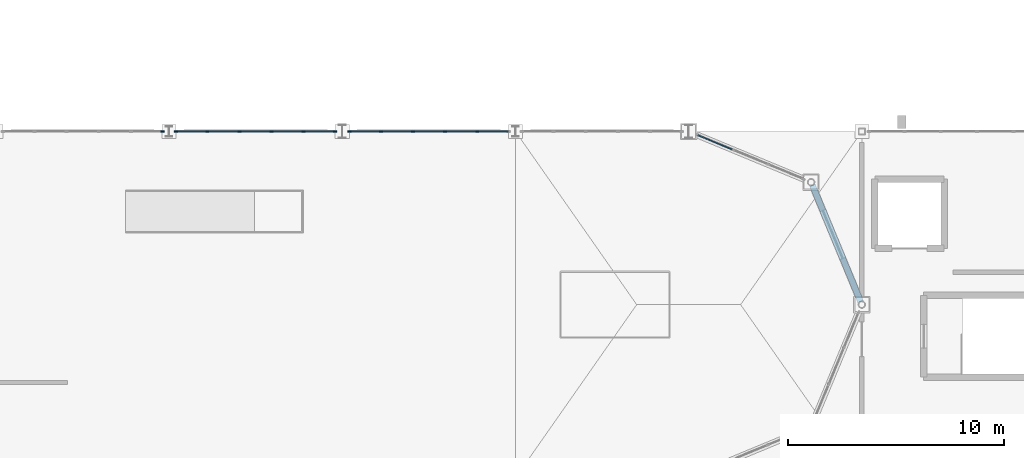
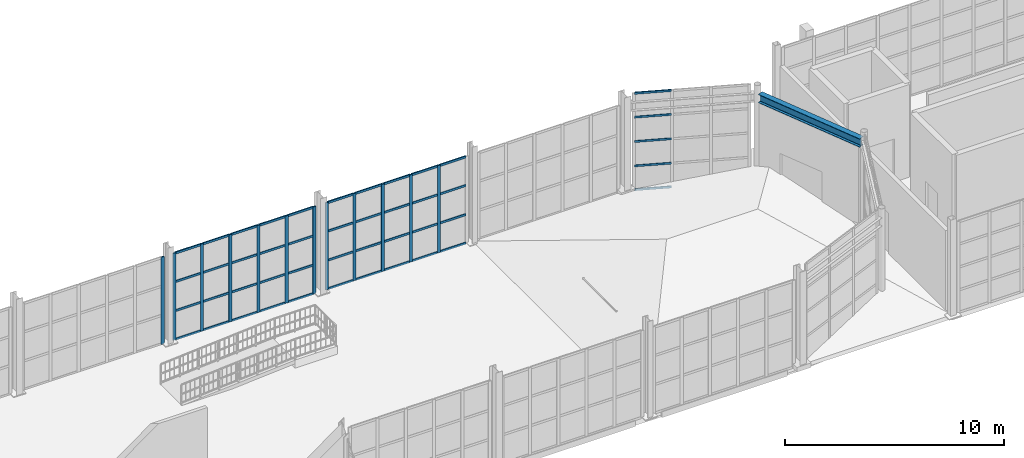
# One storey, part 44 of 82: 57 members, 1 beam, 4 elements without a shape of their own.
"""IFC4 building model written with IfcOpenShell, lengths in metres."""

from ifc_helpers import new_model, si_unit, direction, frame, origin, origin_2d, place, context, subcontext, project, spatial, rectangle, i_section, extrude, material, material_profile, profile_set, type_object, element, aggregate, save


model = new_model("IFC4")

# Units and contexts
model_context = context("Model", 3, precision=1e-05, world=origin(), true_north=direction((0.0, 1.0)))
body_context = subcontext(model_context, "Body", "Model", "MODEL_VIEW")
ifc_project = project(units=[si_unit("LENGTHUNIT", "METRE"), si_unit("AREAUNIT", "SQUARE_METRE"), si_unit("VOLUMEUNIT", "CUBIC_METRE"), si_unit("PLANEANGLEUNIT", "RADIAN"), si_unit("MASSUNIT", "GRAM", prefix="KILO")], contexts=[model_context])

# Site, building, storey
site_placement = place(None, origin())
site = spatial("IfcSite", under=ifc_project, at=site_placement, CompositionType="ELEMENT")
building_placement = place(site_placement, origin())
building = spatial("IfcBuilding", under=site, at=building_placement, Name="Serraluz Foothill Cableway Terminal", CompositionType="ELEMENT")
storey_placement = place(building_placement, frame((0.0, 0.0, 9.60009765625)))
storey = spatial("IfcBuildingStorey", under=building, at=storey_placement, Name="L02", CompositionType="ELEMENT", Elevation=9.60009765625)

# Curtain wall, member
ifc_material_1 = material(Name="Architectural bronze alloy C28000", Category="aluminium")
curtain_wall_type_1 = type_object("IfcCurtainWallType", Name="TYP-CW-920X440", PredefinedType="NOTDEFINED", material=ifc_material_1)
curtain_wall_1_placement = place(storey_placement, origin())
curtain_wall_1 = element("IfcCurtainWall", 1, at=curtain_wall_1_placement, inside=storey, type_object=curtain_wall_type_1, Name="Ribbed Glazed Curtain Wall CW-V1N-L02-120", PredefinedType="NOTDEFINED")
ifc_material_profile_1 = material_profile(ifc_material_1, rectangle(XDim=0.06005859375, YDim=0.159912109375, at=origin_2d()), Name="ALU MULLION 60x160")
ifc_profile_set_1 = profile_set([ifc_material_profile_1], Name="Architectural bronze alloy C28000")
member_type_1 = type_object("IfcMemberType", Name="TYP-CW-MUL-60X160", PredefinedType="MULLION", material=ifc_profile_set_1)
member_1_placement = place(storey_placement, frame((127.6884765625, 72.0, 0.0), z_axis=(0.0, 0.0, 1.0), x_axis=(0.0, 1.0, 0.0)))
member_1 = element("IfcMember", 2, at=member_1_placement, type_object=member_type_1, Name="CW-20 mullion 6", PredefinedType="MULLION", context=body_context, shape_type="SweptSolid", body=[
    extrude(rectangle(XDim=0.06005859375, YDim=0.159912109375, at=origin_2d()), origin(), (0.0, 0.0, 1.0), 4.849853515625),
])
aggregate(curtain_wall_1, [member_1])

# Curtain wall, members
curtain_wall_type_2 = type_object("IfcCurtainWallType", Name="TYP-CW-1120X420", PredefinedType="NOTDEFINED", material=ifc_material_1)
curtain_wall_2_placement = place(storey_placement, origin())
curtain_wall_2 = element("IfcCurtainWall", 3, at=curtain_wall_2_placement, inside=storey, type_object=curtain_wall_type_2, Name="Ribbed Glazed Curtain Wall CW-V1N-L02-128", PredefinedType="NOTDEFINED")
member_2_placement = place(storey_placement, frame((128.3115234375, 72.0, 0.0), z_axis=(0.0, 0.0, 1.0), x_axis=(0.0, 1.0, 0.0)))
member_2 = element("IfcMember", 4, at=member_2_placement, type_object=member_type_1, Name="CW-21 mullion 1", PredefinedType="MULLION", context=body_context, shape_type="SweptSolid", body=[
    extrude(rectangle(XDim=0.06005859375, YDim=0.159912109375, at=origin_2d()), origin(), (0.0, 0.0, 1.0), 4.849853515625),
])
member_3_placement = place(storey_placement, frame((129.7646484375, 72.0, 0.0), z_axis=(0.0, 0.0, 1.0), x_axis=(0.0, 1.0, 0.0)))
member_3 = element("IfcMember", 5, at=member_3_placement, type_object=member_type_1, Name="CW-21 mullion 2", PredefinedType="MULLION", context=body_context, shape_type="SweptSolid", body=[
    extrude(rectangle(XDim=0.06005859375, YDim=0.159912109375, at=origin_2d()), origin(), (0.0, 0.0, 1.0), 4.849853515625),
])
member_4_placement = place(storey_placement, frame((131.247802734375, 72.0, 0.0), z_axis=(0.0, 0.0, 1.0), x_axis=(0.0, 1.0, 0.0)))
member_4 = element("IfcMember", 6, at=member_4_placement, type_object=member_type_1, Name="CW-21 mullion 3", PredefinedType="MULLION", context=body_context, shape_type="SweptSolid", body=[
    extrude(rectangle(XDim=0.06005859375, YDim=0.159912109375, at=origin_2d()), origin(), (0.0, 0.0, 1.0), 4.849853515625),
])
member_5_placement = place(storey_placement, frame((132.731201171875, 72.0, 0.0), z_axis=(0.0, 0.0, 1.0), x_axis=(0.0, 1.0, 0.0)))
member_5 = element("IfcMember", 7, at=member_5_placement, type_object=member_type_1, Name="CW-21 mullion 4", PredefinedType="MULLION", context=body_context, shape_type="SweptSolid", body=[
    extrude(rectangle(XDim=0.06005859375, YDim=0.159912109375, at=origin_2d()), origin(), (0.0, 0.0, 1.0), 4.849853515625),
])
member_6_placement = place(storey_placement, frame((134.21435546875, 72.0, 0.0), z_axis=(0.0, 0.0, 1.0), x_axis=(0.0, 1.0, 0.0)))
member_6 = element("IfcMember", 8, at=member_6_placement, type_object=member_type_1, Name="CW-21 mullion 5", PredefinedType="MULLION", context=body_context, shape_type="SweptSolid", body=[
    extrude(rectangle(XDim=0.06005859375, YDim=0.159912109375, at=origin_2d()), origin(), (0.0, 0.0, 1.0), 4.849853515625),
])
member_7_placement = place(storey_placement, frame((135.66748046875, 72.0, 0.0), z_axis=(0.0, 0.0, 1.0), x_axis=(0.0, 1.0, 0.0)))
member_7 = element("IfcMember", 9, at=member_7_placement, type_object=member_type_1, Name="CW-21 mullion 6", PredefinedType="MULLION", context=body_context, shape_type="SweptSolid", body=[
    extrude(rectangle(XDim=0.06005859375, YDim=0.159912109375, at=origin_2d()), origin(), (0.0, 0.0, 1.0), 4.849853515625),
])

curtain_wall_type_3 = type_object("IfcCurtainWallType", Name="TYP-CW-1280X440", PredefinedType="NOTDEFINED", material=ifc_material_1)
curtain_wall_3_placement = place(storey_placement, origin())
curtain_wall_3 = element("IfcCurtainWall", 10, at=curtain_wall_3_placement, inside=storey, type_object=curtain_wall_type_3, Name="Ribbed Glazed Curtain Wall CW-V1N-L02-136", PredefinedType="NOTDEFINED")
member_8_placement = place(storey_placement, frame((136.33251953125, 72.0, 0.0), z_axis=(0.0, 0.0, 1.0), x_axis=(0.0, 1.0, 0.0)))
member_8 = element("IfcMember", 11, at=member_8_placement, type_object=member_type_1, Name="CW-22 mullion 1", PredefinedType="MULLION", context=body_context, shape_type="SweptSolid", body=[
    extrude(rectangle(XDim=0.06005859375, YDim=0.159912109375, at=origin_2d()), origin(), (0.0, 0.0, 1.0), 4.849853515625),
])
member_9_placement = place(storey_placement, frame((137.78564453125, 72.0, 0.0), z_axis=(0.0, 0.0, 1.0), x_axis=(0.0, 1.0, 0.0)))
member_9 = element("IfcMember", 12, at=member_9_placement, type_object=member_type_1, Name="CW-22 mullion 2", PredefinedType="MULLION", context=body_context, shape_type="SweptSolid", body=[
    extrude(rectangle(XDim=0.06005859375, YDim=0.159912109375, at=origin_2d()), origin(), (0.0, 0.0, 1.0), 4.849853515625),
])
member_10_placement = place(storey_placement, frame((139.268798828125, 72.0, 0.0), z_axis=(0.0, 0.0, 1.0), x_axis=(0.0, 1.0, 0.0)))
member_10 = element("IfcMember", 13, at=member_10_placement, type_object=member_type_1, Name="CW-22 mullion 3", PredefinedType="MULLION", context=body_context, shape_type="SweptSolid", body=[
    extrude(rectangle(XDim=0.06005859375, YDim=0.159912109375, at=origin_2d()), origin(), (0.0, 0.0, 1.0), 4.849853515625),
])
member_11_placement = place(storey_placement, frame((140.752197265625, 72.0, 0.0), z_axis=(0.0, 0.0, 1.0), x_axis=(0.0, 1.0, 0.0)))
member_11 = element("IfcMember", 14, at=member_11_placement, type_object=member_type_1, Name="CW-22 mullion 4", PredefinedType="MULLION", context=body_context, shape_type="SweptSolid", body=[
    extrude(rectangle(XDim=0.06005859375, YDim=0.159912109375, at=origin_2d()), origin(), (0.0, 0.0, 1.0), 4.849853515625),
])
member_12_placement = place(storey_placement, frame((142.2353515625, 72.0, 0.0), z_axis=(0.0, 0.0, 1.0), x_axis=(0.0, 1.0, 0.0)))
member_12 = element("IfcMember", 15, at=member_12_placement, type_object=member_type_1, Name="CW-22 mullion 5", PredefinedType="MULLION", context=body_context, shape_type="SweptSolid", body=[
    extrude(rectangle(XDim=0.06005859375, YDim=0.159912109375, at=origin_2d()), origin(), (0.0, 0.0, 1.0), 4.849853515625),
])

curtain_wall_type_4 = type_object("IfcCurtainWallType", Name="TYP-CW-480X380", PredefinedType="NOTDEFINED", material=ifc_material_1)
curtain_wall_4_placement = place(storey_placement, origin())
curtain_wall_4 = element("IfcCurtainWall", 16, at=curtain_wall_4_placement, inside=storey, type_object=curtain_wall_type_4, Name="Ribbed Glazed Curtain Wall CW-V1-E-L02-1", PredefinedType="NOTDEFINED")
ifc_material_2 = material(Name="Extruded aluminium 6063-T6", Category="aluminium")
ifc_material_profile_2 = material_profile(ifc_material_2, rectangle(XDim=0.054931640625, YDim=0.110107421875, at=origin_2d()), Name="ALU TRANSOM 55x110")
ifc_profile_set_2 = profile_set([ifc_material_profile_2], Name="Extruded aluminium 6063-T6")
member_type_2 = type_object("IfcMemberType", Name="TYP-CW-TRN-55X110", PredefinedType="USERDEFINED", material=ifc_profile_set_2)
member_13_placement = place(storey_placement, frame((152.427734375, 71.82275390625, 0.02734375), z_axis=(0.923875488976, -0.382693194178, 0.0), x_axis=(0.382693194178, 0.923875488976, 0.0)))
member_13 = element("IfcMember", 17, at=member_13_placement, type_object=member_type_2, Name="CW-14 transom 1.1", ObjectType="TRANSOM", PredefinedType="USERDEFINED", context=body_context, shape_type="SweptSolid", body=[
    extrude(rectangle(XDim=0.054931640625, YDim=0.110107421875, at=origin_2d()), origin(), (0.0, 0.0, 1.0), 1.705322265625),
])
member_14_placement = place(storey_placement, frame((152.427734375, 71.82275390625, 1.35498046875), z_axis=(0.923875488976, -0.382693194178, 0.0), x_axis=(0.382693194178, 0.923875488976, 0.0)))
member_14 = element("IfcMember", 18, at=member_14_placement, type_object=member_type_2, Name="CW-14 transom 1.2", ObjectType="TRANSOM", PredefinedType="USERDEFINED", context=body_context, shape_type="SweptSolid", body=[
    extrude(rectangle(XDim=0.054931640625, YDim=0.110107421875, at=origin_2d()), origin(), (0.0, 0.0, 1.0), 1.705322265625),
])
member_15_placement = place(storey_placement, frame((152.427734375, 71.82275390625, 2.7099609375), z_axis=(0.923875488976, -0.382693194178, 0.0), x_axis=(0.382693194178, 0.923875488976, 0.0)))
member_15 = element("IfcMember", 19, at=member_15_placement, type_object=member_type_2, Name="CW-14 transom 1.3", ObjectType="TRANSOM", PredefinedType="USERDEFINED", context=body_context, shape_type="SweptSolid", body=[
    extrude(rectangle(XDim=0.054931640625, YDim=0.110107421875, at=origin_2d()), origin(), (0.0, 0.0, 1.0), 1.705322265625),
])
member_16_placement = place(storey_placement, frame((152.427734375, 71.82275390625, 4.06494140625), z_axis=(0.923875488976, -0.382693194178, 0.0), x_axis=(0.382693194178, 0.923875488976, 0.0)))
member_16 = element("IfcMember", 20, at=member_16_placement, type_object=member_type_2, Name="CW-14 transom 1.4", ObjectType="TRANSOM", PredefinedType="USERDEFINED", context=body_context, shape_type="SweptSolid", body=[
    extrude(rectangle(XDim=0.054931640625, YDim=0.110107421875, at=origin_2d()), origin(), (0.0, 0.0, 1.0), 1.705322265625),
])
member_17_placement = place(storey_placement, frame((152.427734375, 71.82275390625, 5.392333984375), z_axis=(0.923875488976, -0.382693194178, 0.0), x_axis=(0.382693194178, 0.923875488976, 0.0)))
member_17 = element("IfcMember", 21, at=member_17_placement, type_object=member_type_2, Name="CW-14 transom 1.5", ObjectType="TRANSOM", PredefinedType="USERDEFINED", context=body_context, shape_type="SweptSolid", body=[
    extrude(rectangle(XDim=0.054931640625, YDim=0.110107421875, at=origin_2d()), origin(), (0.0, 0.0, 1.0), 1.705322265625),
])
aggregate(curtain_wall_4, [member_13, member_14, member_15, member_16, member_17])

# Member
ifc_material_profile_3 = material_profile(ifc_material_1, rectangle(XDim=0.06005859375, YDim=0.1201171875, at=origin_2d()), Name="ALU TRANSOM 60x120")
ifc_profile_set_3 = profile_set([ifc_material_profile_3], Name="Architectural bronze alloy C28000")
member_type_3 = type_object("IfcMemberType", Name="TYP-CW-TRN-60X120", PredefinedType="USERDEFINED", material=ifc_profile_set_3)
member_18_placement = place(storey_placement, frame((128.341552734375, 72.0, 0.02978515625), z_axis=(1.0, 0.0, 0.0), x_axis=(0.0, 1.0, 0.0)))
member_18 = element("IfcMember", 22, at=member_18_placement, type_object=member_type_3, Name="CW-21 transom 1.1", ObjectType="TRANSOM", PredefinedType="USERDEFINED", context=body_context, shape_type="SweptSolid", body=[
    extrude(rectangle(XDim=0.06005859375, YDim=0.1201171875, at=origin_2d()), origin(), (0.0, 0.0, 1.0), 1.39306640625),
])

member_19_placement = place(storey_placement, frame((128.341552734375, 72.0, 1.61669921875), z_axis=(1.0, 0.0, 0.0), x_axis=(0.0, 1.0, 0.0)))
member_19 = element("IfcMember", 23, at=member_19_placement, type_object=member_type_3, Name="CW-21 transom 1.2", ObjectType="TRANSOM", PredefinedType="USERDEFINED", context=body_context, shape_type="SweptSolid", body=[
    extrude(rectangle(XDim=0.06005859375, YDim=0.1201171875, at=origin_2d()), origin(), (0.0, 0.0, 1.0), 1.39306640625),
])

member_20_placement = place(storey_placement, frame((128.341552734375, 72.0, 3.233154296875), z_axis=(1.0, 0.0, 0.0), x_axis=(0.0, 1.0, 0.0)))
member_20 = element("IfcMember", 24, at=member_20_placement, type_object=member_type_3, Name="CW-21 transom 1.3", ObjectType="TRANSOM", PredefinedType="USERDEFINED", context=body_context, shape_type="SweptSolid", body=[
    extrude(rectangle(XDim=0.06005859375, YDim=0.1201171875, at=origin_2d()), origin(), (0.0, 0.0, 1.0), 1.39306640625),
])

member_21_placement = place(storey_placement, frame((128.341552734375, 72.0, 4.81982421875), z_axis=(1.0, 0.0, 0.0), x_axis=(0.0, 1.0, 0.0)))
member_21 = element("IfcMember", 25, at=member_21_placement, type_object=member_type_3, Name="CW-21 transom 1.4", ObjectType="TRANSOM", PredefinedType="USERDEFINED", context=body_context, shape_type="SweptSolid", body=[
    extrude(rectangle(XDim=0.06005859375, YDim=0.1201171875, at=origin_2d()), origin(), (0.0, 0.0, 1.0), 1.39306640625),
])

member_22_placement = place(storey_placement, frame((129.794677734375, 72.0, 0.02978515625), z_axis=(1.0, 0.0, 0.0), x_axis=(0.0, 1.0, 0.0)))
member_22 = element("IfcMember", 26, at=member_22_placement, type_object=member_type_3, Name="CW-21 transom 2.1", ObjectType="TRANSOM", PredefinedType="USERDEFINED", context=body_context, shape_type="SweptSolid", body=[
    extrude(rectangle(XDim=0.06005859375, YDim=0.1201171875, at=origin_2d()), origin(), (0.0, 0.0, 1.0), 1.42333984375),
])

member_23_placement = place(storey_placement, frame((129.794677734375, 72.0, 1.61669921875), z_axis=(1.0, 0.0, 0.0), x_axis=(0.0, 1.0, 0.0)))
member_23 = element("IfcMember", 27, at=member_23_placement, type_object=member_type_3, Name="CW-21 transom 2.2", ObjectType="TRANSOM", PredefinedType="USERDEFINED", context=body_context, shape_type="SweptSolid", body=[
    extrude(rectangle(XDim=0.06005859375, YDim=0.1201171875, at=origin_2d()), origin(), (0.0, 0.0, 1.0), 1.42333984375),
])

member_24_placement = place(storey_placement, frame((129.794677734375, 72.0, 3.233154296875), z_axis=(1.0, 0.0, 0.0), x_axis=(0.0, 1.0, 0.0)))
member_24 = element("IfcMember", 28, at=member_24_placement, type_object=member_type_3, Name="CW-21 transom 2.3", ObjectType="TRANSOM", PredefinedType="USERDEFINED", context=body_context, shape_type="SweptSolid", body=[
    extrude(rectangle(XDim=0.06005859375, YDim=0.1201171875, at=origin_2d()), origin(), (0.0, 0.0, 1.0), 1.42333984375),
])

member_25_placement = place(storey_placement, frame((129.794677734375, 72.0, 4.81982421875), z_axis=(1.0, 0.0, 0.0), x_axis=(0.0, 1.0, 0.0)))
member_25 = element("IfcMember", 29, at=member_25_placement, type_object=member_type_3, Name="CW-21 transom 2.4", ObjectType="TRANSOM", PredefinedType="USERDEFINED", context=body_context, shape_type="SweptSolid", body=[
    extrude(rectangle(XDim=0.06005859375, YDim=0.1201171875, at=origin_2d()), origin(), (0.0, 0.0, 1.0), 1.42333984375),
])

member_26_placement = place(storey_placement, frame((131.27783203125, 72.0, 0.02978515625), z_axis=(1.0, 0.0, 0.0), x_axis=(0.0, 1.0, 0.0)))
member_26 = element("IfcMember", 30, at=member_26_placement, type_object=member_type_3, Name="CW-21 transom 3.1", ObjectType="TRANSOM", PredefinedType="USERDEFINED", context=body_context, shape_type="SweptSolid", body=[
    extrude(rectangle(XDim=0.06005859375, YDim=0.1201171875, at=origin_2d()), origin(), (0.0, 0.0, 1.0), 1.42333984375),
])

member_27_placement = place(storey_placement, frame((131.27783203125, 72.0, 1.61669921875), z_axis=(1.0, 0.0, 0.0), x_axis=(0.0, 1.0, 0.0)))
member_27 = element("IfcMember", 31, at=member_27_placement, type_object=member_type_3, Name="CW-21 transom 3.2", ObjectType="TRANSOM", PredefinedType="USERDEFINED", context=body_context, shape_type="SweptSolid", body=[
    extrude(rectangle(XDim=0.06005859375, YDim=0.1201171875, at=origin_2d()), origin(), (0.0, 0.0, 1.0), 1.42333984375),
])

member_28_placement = place(storey_placement, frame((131.27783203125, 72.0, 3.233154296875), z_axis=(1.0, 0.0, 0.0), x_axis=(0.0, 1.0, 0.0)))
member_28 = element("IfcMember", 32, at=member_28_placement, type_object=member_type_3, Name="CW-21 transom 3.3", ObjectType="TRANSOM", PredefinedType="USERDEFINED", context=body_context, shape_type="SweptSolid", body=[
    extrude(rectangle(XDim=0.06005859375, YDim=0.1201171875, at=origin_2d()), origin(), (0.0, 0.0, 1.0), 1.42333984375),
])

member_29_placement = place(storey_placement, frame((131.27783203125, 72.0, 4.81982421875), z_axis=(1.0, 0.0, 0.0), x_axis=(0.0, 1.0, 0.0)))
member_29 = element("IfcMember", 33, at=member_29_placement, type_object=member_type_3, Name="CW-21 transom 3.4", ObjectType="TRANSOM", PredefinedType="USERDEFINED", context=body_context, shape_type="SweptSolid", body=[
    extrude(rectangle(XDim=0.06005859375, YDim=0.1201171875, at=origin_2d()), origin(), (0.0, 0.0, 1.0), 1.42333984375),
])

member_30_placement = place(storey_placement, frame((132.760986328125, 72.0, 0.02978515625), z_axis=(1.0, 0.0, 0.0), x_axis=(0.0, 1.0, 0.0)))
member_30 = element("IfcMember", 34, at=member_30_placement, type_object=member_type_3, Name="CW-21 transom 4.1", ObjectType="TRANSOM", PredefinedType="USERDEFINED", context=body_context, shape_type="SweptSolid", body=[
    extrude(rectangle(XDim=0.06005859375, YDim=0.1201171875, at=origin_2d()), origin(), (0.0, 0.0, 1.0), 1.42333984375),
])

member_31_placement = place(storey_placement, frame((132.760986328125, 72.0, 1.61669921875), z_axis=(1.0, 0.0, 0.0), x_axis=(0.0, 1.0, 0.0)))
member_31 = element("IfcMember", 35, at=member_31_placement, type_object=member_type_3, Name="CW-21 transom 4.2", ObjectType="TRANSOM", PredefinedType="USERDEFINED", context=body_context, shape_type="SweptSolid", body=[
    extrude(rectangle(XDim=0.06005859375, YDim=0.1201171875, at=origin_2d()), origin(), (0.0, 0.0, 1.0), 1.42333984375),
])

member_32_placement = place(storey_placement, frame((132.760986328125, 72.0, 3.233154296875), z_axis=(1.0, 0.0, 0.0), x_axis=(0.0, 1.0, 0.0)))
member_32 = element("IfcMember", 36, at=member_32_placement, type_object=member_type_3, Name="CW-21 transom 4.3", ObjectType="TRANSOM", PredefinedType="USERDEFINED", context=body_context, shape_type="SweptSolid", body=[
    extrude(rectangle(XDim=0.06005859375, YDim=0.1201171875, at=origin_2d()), origin(), (0.0, 0.0, 1.0), 1.42333984375),
])

member_33_placement = place(storey_placement, frame((132.760986328125, 72.0, 4.81982421875), z_axis=(1.0, 0.0, 0.0), x_axis=(0.0, 1.0, 0.0)))
member_33 = element("IfcMember", 37, at=member_33_placement, type_object=member_type_3, Name="CW-21 transom 4.4", ObjectType="TRANSOM", PredefinedType="USERDEFINED", context=body_context, shape_type="SweptSolid", body=[
    extrude(rectangle(XDim=0.06005859375, YDim=0.1201171875, at=origin_2d()), origin(), (0.0, 0.0, 1.0), 1.42333984375),
])

member_34_placement = place(storey_placement, frame((134.244384765625, 72.0, 0.02978515625), z_axis=(1.0, 0.0, 0.0), x_axis=(0.0, 1.0, 0.0)))
member_34 = element("IfcMember", 38, at=member_34_placement, type_object=member_type_3, Name="CW-21 transom 5.1", ObjectType="TRANSOM", PredefinedType="USERDEFINED", context=body_context, shape_type="SweptSolid", body=[
    extrude(rectangle(XDim=0.06005859375, YDim=0.1201171875, at=origin_2d()), origin(), (0.0, 0.0, 1.0), 1.39306640625),
])

member_35_placement = place(storey_placement, frame((134.244384765625, 72.0, 1.61669921875), z_axis=(1.0, 0.0, 0.0), x_axis=(0.0, 1.0, 0.0)))
member_35 = element("IfcMember", 39, at=member_35_placement, type_object=member_type_3, Name="CW-21 transom 5.2", ObjectType="TRANSOM", PredefinedType="USERDEFINED", context=body_context, shape_type="SweptSolid", body=[
    extrude(rectangle(XDim=0.06005859375, YDim=0.1201171875, at=origin_2d()), origin(), (0.0, 0.0, 1.0), 1.39306640625),
])

member_36_placement = place(storey_placement, frame((134.244384765625, 72.0, 3.233154296875), z_axis=(1.0, 0.0, 0.0), x_axis=(0.0, 1.0, 0.0)))
member_36 = element("IfcMember", 40, at=member_36_placement, type_object=member_type_3, Name="CW-21 transom 5.3", ObjectType="TRANSOM", PredefinedType="USERDEFINED", context=body_context, shape_type="SweptSolid", body=[
    extrude(rectangle(XDim=0.06005859375, YDim=0.1201171875, at=origin_2d()), origin(), (0.0, 0.0, 1.0), 1.39306640625),
])

member_37_placement = place(storey_placement, frame((134.244384765625, 72.0, 4.81982421875), z_axis=(1.0, 0.0, 0.0), x_axis=(0.0, 1.0, 0.0)))
member_37 = element("IfcMember", 41, at=member_37_placement, type_object=member_type_3, Name="CW-21 transom 5.4", ObjectType="TRANSOM", PredefinedType="USERDEFINED", context=body_context, shape_type="SweptSolid", body=[
    extrude(rectangle(XDim=0.06005859375, YDim=0.1201171875, at=origin_2d()), origin(), (0.0, 0.0, 1.0), 1.39306640625),
])

aggregate(curtain_wall_2, [member_2, member_3, member_4, member_5, member_6, member_7, member_18, member_19, member_20, member_21, member_22, member_23, member_24, member_25, member_26, member_27, member_28, member_29, member_30, member_31, member_32, member_33, member_34, member_35, member_36, member_37])

member_38_placement = place(storey_placement, frame((136.362548828125, 72.0, 0.02978515625), z_axis=(1.0, 0.0, 0.0), x_axis=(0.0, 1.0, 0.0)))
member_38 = element("IfcMember", 42, at=member_38_placement, type_object=member_type_3, Name="CW-22 transom 1.1", ObjectType="TRANSOM", PredefinedType="USERDEFINED", context=body_context, shape_type="SweptSolid", body=[
    extrude(rectangle(XDim=0.06005859375, YDim=0.1201171875, at=origin_2d()), origin(), (0.0, 0.0, 1.0), 1.39306640625),
])

member_39_placement = place(storey_placement, frame((136.362548828125, 72.0, 1.61669921875), z_axis=(1.0, 0.0, 0.0), x_axis=(0.0, 1.0, 0.0)))
member_39 = element("IfcMember", 43, at=member_39_placement, type_object=member_type_3, Name="CW-22 transom 1.2", ObjectType="TRANSOM", PredefinedType="USERDEFINED", context=body_context, shape_type="SweptSolid", body=[
    extrude(rectangle(XDim=0.06005859375, YDim=0.1201171875, at=origin_2d()), origin(), (0.0, 0.0, 1.0), 1.39306640625),
])

member_40_placement = place(storey_placement, frame((136.362548828125, 72.0, 3.233154296875), z_axis=(1.0, 0.0, 0.0), x_axis=(0.0, 1.0, 0.0)))
member_40 = element("IfcMember", 44, at=member_40_placement, type_object=member_type_3, Name="CW-22 transom 1.3", ObjectType="TRANSOM", PredefinedType="USERDEFINED", context=body_context, shape_type="SweptSolid", body=[
    extrude(rectangle(XDim=0.06005859375, YDim=0.1201171875, at=origin_2d()), origin(), (0.0, 0.0, 1.0), 1.39306640625),
])

member_41_placement = place(storey_placement, frame((136.362548828125, 72.0, 4.81982421875), z_axis=(1.0, 0.0, 0.0), x_axis=(0.0, 1.0, 0.0)))
member_41 = element("IfcMember", 45, at=member_41_placement, type_object=member_type_3, Name="CW-22 transom 1.4", ObjectType="TRANSOM", PredefinedType="USERDEFINED", context=body_context, shape_type="SweptSolid", body=[
    extrude(rectangle(XDim=0.06005859375, YDim=0.1201171875, at=origin_2d()), origin(), (0.0, 0.0, 1.0), 1.39306640625),
])

member_42_placement = place(storey_placement, frame((137.815673828125, 72.0, 0.02978515625), z_axis=(1.0, 0.0, 0.0), x_axis=(0.0, 1.0, 0.0)))
member_42 = element("IfcMember", 46, at=member_42_placement, type_object=member_type_3, Name="CW-22 transom 2.1", ObjectType="TRANSOM", PredefinedType="USERDEFINED", context=body_context, shape_type="SweptSolid", body=[
    extrude(rectangle(XDim=0.06005859375, YDim=0.1201171875, at=origin_2d()), origin(), (0.0, 0.0, 1.0), 1.42333984375),
])

member_43_placement = place(storey_placement, frame((137.815673828125, 72.0, 1.61669921875), z_axis=(1.0, 0.0, 0.0), x_axis=(0.0, 1.0, 0.0)))
member_43 = element("IfcMember", 47, at=member_43_placement, type_object=member_type_3, Name="CW-22 transom 2.2", ObjectType="TRANSOM", PredefinedType="USERDEFINED", context=body_context, shape_type="SweptSolid", body=[
    extrude(rectangle(XDim=0.06005859375, YDim=0.1201171875, at=origin_2d()), origin(), (0.0, 0.0, 1.0), 1.42333984375),
])

member_44_placement = place(storey_placement, frame((137.815673828125, 72.0, 3.233154296875), z_axis=(1.0, 0.0, 0.0), x_axis=(0.0, 1.0, 0.0)))
member_44 = element("IfcMember", 48, at=member_44_placement, type_object=member_type_3, Name="CW-22 transom 2.3", ObjectType="TRANSOM", PredefinedType="USERDEFINED", context=body_context, shape_type="SweptSolid", body=[
    extrude(rectangle(XDim=0.06005859375, YDim=0.1201171875, at=origin_2d()), origin(), (0.0, 0.0, 1.0), 1.42333984375),
])

member_45_placement = place(storey_placement, frame((137.815673828125, 72.0, 4.81982421875), z_axis=(1.0, 0.0, 0.0), x_axis=(0.0, 1.0, 0.0)))
member_45 = element("IfcMember", 49, at=member_45_placement, type_object=member_type_3, Name="CW-22 transom 2.4", ObjectType="TRANSOM", PredefinedType="USERDEFINED", context=body_context, shape_type="SweptSolid", body=[
    extrude(rectangle(XDim=0.06005859375, YDim=0.1201171875, at=origin_2d()), origin(), (0.0, 0.0, 1.0), 1.42333984375),
])

member_46_placement = place(storey_placement, frame((139.298828125, 72.0, 0.02978515625), z_axis=(1.0, 0.0, 0.0), x_axis=(0.0, 1.0, 0.0)))
member_46 = element("IfcMember", 50, at=member_46_placement, type_object=member_type_3, Name="CW-22 transom 3.1", ObjectType="TRANSOM", PredefinedType="USERDEFINED", context=body_context, shape_type="SweptSolid", body=[
    extrude(rectangle(XDim=0.06005859375, YDim=0.1201171875, at=origin_2d()), origin(), (0.0, 0.0, 1.0), 1.42333984375),
])

member_47_placement = place(storey_placement, frame((139.298828125, 72.0, 1.61669921875), z_axis=(1.0, 0.0, 0.0), x_axis=(0.0, 1.0, 0.0)))
member_47 = element("IfcMember", 51, at=member_47_placement, type_object=member_type_3, Name="CW-22 transom 3.2", ObjectType="TRANSOM", PredefinedType="USERDEFINED", context=body_context, shape_type="SweptSolid", body=[
    extrude(rectangle(XDim=0.06005859375, YDim=0.1201171875, at=origin_2d()), origin(), (0.0, 0.0, 1.0), 1.42333984375),
])

member_48_placement = place(storey_placement, frame((139.298828125, 72.0, 3.233154296875), z_axis=(1.0, 0.0, 0.0), x_axis=(0.0, 1.0, 0.0)))
member_48 = element("IfcMember", 52, at=member_48_placement, type_object=member_type_3, Name="CW-22 transom 3.3", ObjectType="TRANSOM", PredefinedType="USERDEFINED", context=body_context, shape_type="SweptSolid", body=[
    extrude(rectangle(XDim=0.06005859375, YDim=0.1201171875, at=origin_2d()), origin(), (0.0, 0.0, 1.0), 1.42333984375),
])

member_49_placement = place(storey_placement, frame((139.298828125, 72.0, 4.81982421875), z_axis=(1.0, 0.0, 0.0), x_axis=(0.0, 1.0, 0.0)))
member_49 = element("IfcMember", 53, at=member_49_placement, type_object=member_type_3, Name="CW-22 transom 3.4", ObjectType="TRANSOM", PredefinedType="USERDEFINED", context=body_context, shape_type="SweptSolid", body=[
    extrude(rectangle(XDim=0.06005859375, YDim=0.1201171875, at=origin_2d()), origin(), (0.0, 0.0, 1.0), 1.42333984375),
])

member_50_placement = place(storey_placement, frame((140.781982421875, 72.0, 0.02978515625), z_axis=(1.0, 0.0, 0.0), x_axis=(0.0, 1.0, 0.0)))
member_50 = element("IfcMember", 54, at=member_50_placement, type_object=member_type_3, Name="CW-22 transom 4.1", ObjectType="TRANSOM", PredefinedType="USERDEFINED", context=body_context, shape_type="SweptSolid", body=[
    extrude(rectangle(XDim=0.06005859375, YDim=0.1201171875, at=origin_2d()), origin(), (0.0, 0.0, 1.0), 1.42333984375),
])

member_51_placement = place(storey_placement, frame((140.781982421875, 72.0, 1.61669921875), z_axis=(1.0, 0.0, 0.0), x_axis=(0.0, 1.0, 0.0)))
member_51 = element("IfcMember", 55, at=member_51_placement, type_object=member_type_3, Name="CW-22 transom 4.2", ObjectType="TRANSOM", PredefinedType="USERDEFINED", context=body_context, shape_type="SweptSolid", body=[
    extrude(rectangle(XDim=0.06005859375, YDim=0.1201171875, at=origin_2d()), origin(), (0.0, 0.0, 1.0), 1.42333984375),
])

member_52_placement = place(storey_placement, frame((140.781982421875, 72.0, 3.233154296875), z_axis=(1.0, 0.0, 0.0), x_axis=(0.0, 1.0, 0.0)))
member_52 = element("IfcMember", 56, at=member_52_placement, type_object=member_type_3, Name="CW-22 transom 4.3", ObjectType="TRANSOM", PredefinedType="USERDEFINED", context=body_context, shape_type="SweptSolid", body=[
    extrude(rectangle(XDim=0.06005859375, YDim=0.1201171875, at=origin_2d()), origin(), (0.0, 0.0, 1.0), 1.42333984375),
])

member_53_placement = place(storey_placement, frame((140.781982421875, 72.0, 4.81982421875), z_axis=(1.0, 0.0, 0.0), x_axis=(0.0, 1.0, 0.0)))
member_53 = element("IfcMember", 57, at=member_53_placement, type_object=member_type_3, Name="CW-22 transom 4.4", ObjectType="TRANSOM", PredefinedType="USERDEFINED", context=body_context, shape_type="SweptSolid", body=[
    extrude(rectangle(XDim=0.06005859375, YDim=0.1201171875, at=origin_2d()), origin(), (0.0, 0.0, 1.0), 1.42333984375),
])

member_54_placement = place(storey_placement, frame((142.265380859375, 72.0, 0.02978515625), z_axis=(1.0, 0.0, 0.0), x_axis=(0.0, 1.0, 0.0)))
member_54 = element("IfcMember", 58, at=member_54_placement, type_object=member_type_3, Name="CW-22 transom 5.1", ObjectType="TRANSOM", PredefinedType="USERDEFINED", context=body_context, shape_type="SweptSolid", body=[
    extrude(rectangle(XDim=0.06005859375, YDim=0.1201171875, at=origin_2d()), origin(), (0.0, 0.0, 1.0), 1.39306640625),
])

member_55_placement = place(storey_placement, frame((142.265380859375, 72.0, 1.61669921875), z_axis=(1.0, 0.0, 0.0), x_axis=(0.0, 1.0, 0.0)))
member_55 = element("IfcMember", 59, at=member_55_placement, type_object=member_type_3, Name="CW-22 transom 5.2", ObjectType="TRANSOM", PredefinedType="USERDEFINED", context=body_context, shape_type="SweptSolid", body=[
    extrude(rectangle(XDim=0.06005859375, YDim=0.1201171875, at=origin_2d()), origin(), (0.0, 0.0, 1.0), 1.39306640625),
])

member_56_placement = place(storey_placement, frame((142.265380859375, 72.0, 3.233154296875), z_axis=(1.0, 0.0, 0.0), x_axis=(0.0, 1.0, 0.0)))
member_56 = element("IfcMember", 60, at=member_56_placement, type_object=member_type_3, Name="CW-22 transom 5.3", ObjectType="TRANSOM", PredefinedType="USERDEFINED", context=body_context, shape_type="SweptSolid", body=[
    extrude(rectangle(XDim=0.06005859375, YDim=0.1201171875, at=origin_2d()), origin(), (0.0, 0.0, 1.0), 1.39306640625),
])

member_57_placement = place(storey_placement, frame((142.265380859375, 72.0, 4.81982421875), z_axis=(1.0, 0.0, 0.0), x_axis=(0.0, 1.0, 0.0)))
member_57 = element("IfcMember", 61, at=member_57_placement, type_object=member_type_3, Name="CW-22 transom 5.4", ObjectType="TRANSOM", PredefinedType="USERDEFINED", context=body_context, shape_type="SweptSolid", body=[
    extrude(rectangle(XDim=0.06005859375, YDim=0.1201171875, at=origin_2d()), origin(), (0.0, 0.0, 1.0), 1.39306640625),
])

aggregate(curtain_wall_3, [member_8, member_9, member_10, member_11, member_12, member_38, member_39, member_40, member_41, member_42, member_43, member_44, member_45, member_46, member_47, member_48, member_49, member_50, member_51, member_52, member_53, member_54, member_55, member_56, member_57])

# Beam
ifc_material_3 = material(Name="Steel ASTM A992 Grade 50", Category="steel")
ifc_material_profile_4 = material_profile(ifc_material_3, i_section(OverallWidth=0.282958984375, OverallDepth=0.471923828125, WebThickness=0.013671875, FlangeThickness=0.022216796875, FilletRadius=0.014892578125, at=origin_2d()), Name="W18X97")
ifc_profile_set_4 = profile_set([ifc_material_profile_4], Name="Steel ASTM A992 Grade 50")
beam_type = type_object("IfcBeamType", Name="TYP-SP-W18X97", PredefinedType="SPANDREL", material=ifc_profile_set_4)
beam_placement = place(storey_placement, frame((159.942626953125, 64.138671875, 4.7138671875), z_axis=(-0.382676423435, 0.923882435674, 0.0), x_axis=(-0.923882435674, -0.382676423435, 0.0)))
element("IfcBeam", 62, at=beam_placement, inside=storey, type_object=beam_type, Name="Curved End Ring Beam E-L02-3", PredefinedType="SPANDREL", context=body_context, shape_type="SweptSolid", body=[
    extrude(i_section(OverallWidth=0.282958984375, OverallDepth=0.471923828125, WebThickness=0.013671875, FlangeThickness=0.022216796875, FilletRadius=0.014892578125, at=origin_2d()), origin(), (0.0, 0.0, 1.0), 5.82275390625),
])

save(model, "model.ifc")
